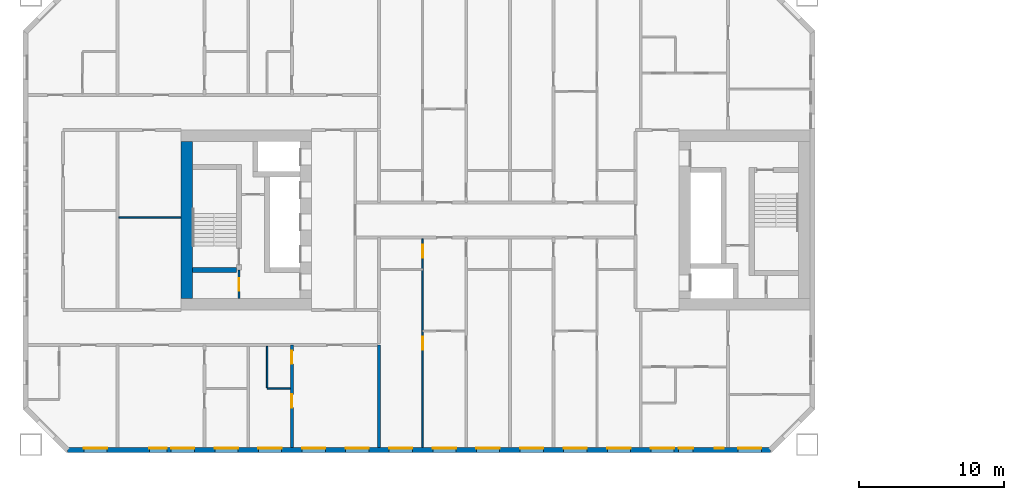
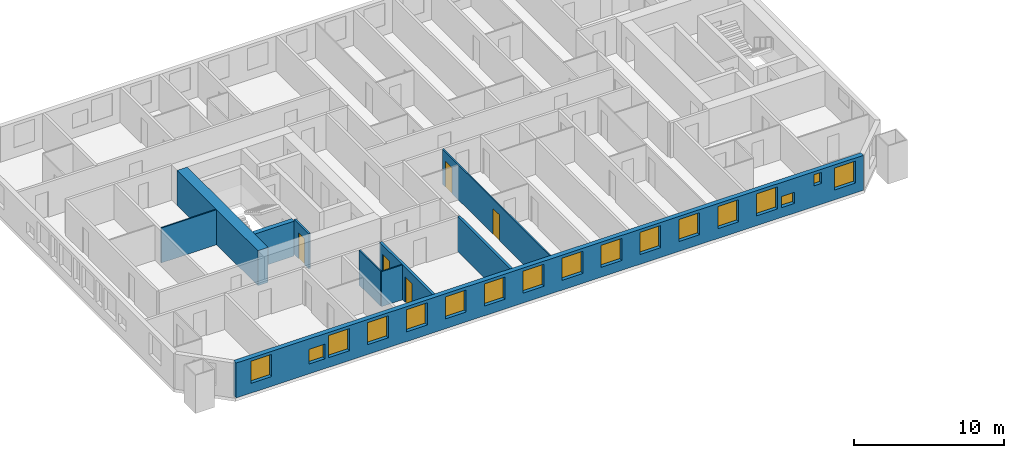
# One storey, part 3 of 17: 17 windows, 10 walls, 5 doors, 22 openings.
"""IFC4 building model written with IfcOpenShell, lengths in metres."""

from ifc_helpers import new_model, si_unit, direction, frame, frame_2d, origin, place, context, subcontext, project, spatial, rectangle, extrude, material, layer, layer_set, type_object, element, fill, save


model = new_model("IFC4")

# Units and contexts
model_context = context("Model", 3, precision=1e-05, world=origin(), true_north=direction((0.0, 1.0)))
body_context = subcontext(model_context, "Body", "Model", "MODEL_VIEW")
ifc_project = project(units=[si_unit("LENGTHUNIT", "METRE"), si_unit("AREAUNIT", "SQUARE_METRE"), si_unit("VOLUMEUNIT", "CUBIC_METRE"), si_unit("PLANEANGLEUNIT", "RADIAN"), si_unit("MASSUNIT", "GRAM", prefix="KILO")], contexts=[model_context])

# Site, building, storey
site_placement = place(None, origin())
site = spatial("IfcSite", under=ifc_project, at=site_placement, CompositionType="ELEMENT")
building_placement = place(site_placement, origin())
building = spatial("IfcBuilding", under=site, at=building_placement, Name="Tuart Gate Housing", CompositionType="ELEMENT")
storey_placement = place(building_placement, frame((0.0, 0.0, 47.39990234375)))
storey = spatial("IfcBuildingStorey", under=building, at=storey_placement, Name="L12", CompositionType="ELEMENT", Elevation=47.39990234375)

# Wall, openings, windows
ifc_material_1 = material(Name="Brick", Category="masonry")
ifc_layer_1 = layer(ifc_material_1, 0.360107421875)
ifc_layer_set_1 = layer_set([ifc_layer_1], Name="Brick pier and spandrel wall 360")
wall_type_1 = type_object("IfcWallType", Name="Brick pier and spandrel wall 360", PredefinedType="STANDARD", material=ifc_layer_set_1)
wall_1_placement = place(storey_placement, frame((24.57470703125, 54.179931640625, 0.0), z_axis=(0.0, 0.0, 1.0), x_axis=(1.0, 0.0, 0.0)))
wall_1 = element("IfcWall", 1, at=wall_1_placement, inside=storey, type_object=wall_type_1, Name="External wall A-S L12", PredefinedType="STANDARD", context=body_context, shape_type="SweptSolid", body=[
    extrude(rectangle(XDim=48.350830078125, YDim=0.360107421875, at=frame_2d((24.17529296875, 0.0))), origin(), (0.0, 0.0, 1.0), 2.85009765625),
])
opening_1_placement = place(wall_1_placement, frame((1.12548828125, 0.0, 0.800048828125)))
opening_1 = element("IfcOpeningElement", 2, at=opening_1_placement, cuts=wall_1, Name="Opening W1", PredefinedType="OPENING", context=body_context, shape_type="SweptSolid", body=[
    extrude(rectangle(XDim=1.60009765625, YDim=1.800048828125, at=frame_2d((0.800048828125, 0.89990234375))), frame((0.0, 0.18994140625, 0.0), z_axis=(0.0, -1.0, 0.0), x_axis=(1.0, 0.0, 0.0)), (0.0, 0.0, 1.0), 0.380126953125),
])
opening_2_placement = place(wall_1_placement, frame((5.62548828125, 0.0, 0.800048828125)))
opening_2 = element("IfcOpeningElement", 3, at=opening_2_placement, cuts=wall_1, Name="Opening W1N", PredefinedType="OPENING", context=body_context, shape_type="SweptSolid", body=[
    extrude(rectangle(XDim=1.199951171875, YDim=1.199951171875, at=frame_2d((0.60009765625, 0.60009765625))), frame((0.0, 0.18994140625, 0.0), z_axis=(0.0, -1.0, 0.0), x_axis=(1.0, 0.0, 0.0)), (0.0, 0.0, 1.0), 0.380126953125),
])
opening_3_placement = place(wall_1_placement, frame((7.12548828125, 0.0, 0.800048828125)))
opening_3 = element("IfcOpeningElement", 4, at=opening_3_placement, cuts=wall_1, Name="Opening W1", PredefinedType="OPENING", context=body_context, shape_type="SweptSolid", body=[
    extrude(rectangle(XDim=1.60009765625, YDim=1.800048828125, at=frame_2d((0.800048828125, 0.89990234375))), frame((0.0, 0.18994140625, 0.0), z_axis=(0.0, -1.0, 0.0), x_axis=(1.0, 0.0, 0.0)), (0.0, 0.0, 1.0), 0.380126953125),
])
opening_4_placement = place(wall_1_placement, frame((10.12548828125, 0.0, 0.800048828125)))
opening_4 = element("IfcOpeningElement", 5, at=opening_4_placement, cuts=wall_1, Name="Opening W1", PredefinedType="OPENING", context=body_context, shape_type="SweptSolid", body=[
    extrude(rectangle(XDim=1.60009765625, YDim=1.800048828125, at=frame_2d((0.800048828125, 0.89990234375))), frame((0.0, 0.18994140625, 0.0), z_axis=(0.0, -1.0, 0.0), x_axis=(1.0, 0.0, 0.0)), (0.0, 0.0, 1.0), 0.380126953125),
])
opening_5_placement = place(wall_1_placement, frame((13.12548828125, 0.0, 0.800048828125)))
opening_5 = element("IfcOpeningElement", 6, at=opening_5_placement, cuts=wall_1, Name="Opening W1", PredefinedType="OPENING", context=body_context, shape_type="SweptSolid", body=[
    extrude(rectangle(XDim=1.60009765625, YDim=1.800048828125, at=frame_2d((0.800048828125, 0.89990234375))), frame((0.0, 0.18994140625, 0.0), z_axis=(0.0, -1.0, 0.0), x_axis=(1.0, 0.0, 0.0)), (0.0, 0.0, 1.0), 0.380126953125),
])
opening_6_placement = place(wall_1_placement, frame((16.12548828125, 0.0, 0.800048828125)))
opening_6 = element("IfcOpeningElement", 7, at=opening_6_placement, cuts=wall_1, Name="Opening W1", PredefinedType="OPENING", context=body_context, shape_type="SweptSolid", body=[
    extrude(rectangle(XDim=1.60009765625, YDim=1.800048828125, at=frame_2d((0.800048828125, 0.89990234375))), frame((0.0, 0.18994140625, 0.0), z_axis=(0.0, -1.0, 0.0), x_axis=(1.0, 0.0, 0.0)), (0.0, 0.0, 1.0), 0.380126953125),
])
opening_7_placement = place(wall_1_placement, frame((19.12548828125, 0.0, 0.800048828125)))
opening_7 = element("IfcOpeningElement", 8, at=opening_7_placement, cuts=wall_1, Name="Opening W1", PredefinedType="OPENING", context=body_context, shape_type="SweptSolid", body=[
    extrude(rectangle(XDim=1.60009765625, YDim=1.800048828125, at=frame_2d((0.800048828125, 0.89990234375))), frame((0.0, 0.18994140625, 0.0), z_axis=(0.0, -1.0, 0.0), x_axis=(1.0, 0.0, 0.0)), (0.0, 0.0, 1.0), 0.380126953125),
])
opening_8_placement = place(wall_1_placement, frame((22.12548828125, 0.0, 0.800048828125)))
opening_8 = element("IfcOpeningElement", 9, at=opening_8_placement, cuts=wall_1, Name="Opening W1", PredefinedType="OPENING", context=body_context, shape_type="SweptSolid", body=[
    extrude(rectangle(XDim=1.60009765625, YDim=1.800048828125, at=frame_2d((0.800048828125, 0.89990234375))), frame((0.0, 0.18994140625, 0.0), z_axis=(0.0, -1.0, 0.0), x_axis=(1.0, 0.0, 0.0)), (0.0, 0.0, 1.0), 0.380126953125),
])
opening_9_placement = place(wall_1_placement, frame((25.12548828125, 0.0, 0.800048828125)))
opening_9 = element("IfcOpeningElement", 10, at=opening_9_placement, cuts=wall_1, Name="Opening W1", PredefinedType="OPENING", context=body_context, shape_type="SweptSolid", body=[
    extrude(rectangle(XDim=1.60009765625, YDim=1.800048828125, at=frame_2d((0.800048828125, 0.89990234375))), frame((0.0, 0.18994140625, 0.0), z_axis=(0.0, -1.0, 0.0), x_axis=(1.0, 0.0, 0.0)), (0.0, 0.0, 1.0), 0.380126953125),
])
opening_10_placement = place(wall_1_placement, frame((28.12548828125, 0.0, 0.800048828125)))
opening_10 = element("IfcOpeningElement", 11, at=opening_10_placement, cuts=wall_1, Name="Opening W1", PredefinedType="OPENING", context=body_context, shape_type="SweptSolid", body=[
    extrude(rectangle(XDim=1.60009765625, YDim=1.800048828125, at=frame_2d((0.800048828125, 0.89990234375))), frame((0.0, 0.18994140625, 0.0), z_axis=(0.0, -1.0, 0.0), x_axis=(1.0, 0.0, 0.0)), (0.0, 0.0, 1.0), 0.380126953125),
])
opening_11_placement = place(wall_1_placement, frame((31.12548828125, 0.0, 0.800048828125)))
opening_11 = element("IfcOpeningElement", 12, at=opening_11_placement, cuts=wall_1, Name="Opening W1", PredefinedType="OPENING", context=body_context, shape_type="SweptSolid", body=[
    extrude(rectangle(XDim=1.60009765625, YDim=1.800048828125, at=frame_2d((0.800048828125, 0.89990234375))), frame((0.0, 0.18994140625, 0.0), z_axis=(0.0, -1.0, 0.0), x_axis=(1.0, 0.0, 0.0)), (0.0, 0.0, 1.0), 0.380126953125),
])
opening_12_placement = place(wall_1_placement, frame((34.12548828125, 0.0, 0.800048828125)))
opening_12 = element("IfcOpeningElement", 13, at=opening_12_placement, cuts=wall_1, Name="Opening W1", PredefinedType="OPENING", context=body_context, shape_type="SweptSolid", body=[
    extrude(rectangle(XDim=1.60009765625, YDim=1.800048828125, at=frame_2d((0.800048828125, 0.89990234375))), frame((0.0, 0.18994140625, 0.0), z_axis=(0.0, -1.0, 0.0), x_axis=(1.0, 0.0, 0.0)), (0.0, 0.0, 1.0), 0.380126953125),
])
opening_13_placement = place(wall_1_placement, frame((37.12548828125, 0.0, 0.800048828125)))
opening_13 = element("IfcOpeningElement", 14, at=opening_13_placement, cuts=wall_1, Name="Opening W1", PredefinedType="OPENING", context=body_context, shape_type="SweptSolid", body=[
    extrude(rectangle(XDim=1.60009765625, YDim=1.800048828125, at=frame_2d((0.800048828125, 0.89990234375))), frame((0.0, 0.18994140625, 0.0), z_axis=(0.0, -1.0, 0.0), x_axis=(1.0, 0.0, 0.0)), (0.0, 0.0, 1.0), 0.380126953125),
])
opening_14_placement = place(wall_1_placement, frame((40.12548828125, 0.0, 0.800048828125)))
opening_14 = element("IfcOpeningElement", 15, at=opening_14_placement, cuts=wall_1, Name="Opening W1", PredefinedType="OPENING", context=body_context, shape_type="SweptSolid", body=[
    extrude(rectangle(XDim=1.60009765625, YDim=1.800048828125, at=frame_2d((0.800048828125, 0.89990234375))), frame((0.0, 0.18994140625, 0.0), z_axis=(0.0, -1.0, 0.0), x_axis=(1.0, 0.0, 0.0)), (0.0, 0.0, 1.0), 0.380126953125),
])
opening_15_placement = place(wall_1_placement, frame((42.025390625, 0.0, 0.800048828125)))
opening_15 = element("IfcOpeningElement", 16, at=opening_15_placement, cuts=wall_1, Name="Opening W1U", PredefinedType="OPENING", context=body_context, shape_type="SweptSolid", body=[
    extrude(rectangle(XDim=1.0, YDim=0.89990234375, at=frame_2d((0.5, 0.449951171875))), frame((0.0, 0.18994140625, 0.0), z_axis=(0.0, -1.0, 0.0), x_axis=(1.0, 0.0, 0.0)), (0.0, 0.0, 1.0), 0.380126953125),
])
opening_16_placement = place(wall_1_placement, frame((46.12548828125, 0.0, 0.800048828125)))
opening_16 = element("IfcOpeningElement", 17, at=opening_16_placement, cuts=wall_1, Name="Opening W1", PredefinedType="OPENING", context=body_context, shape_type="SweptSolid", body=[
    extrude(rectangle(XDim=1.60009765625, YDim=1.800048828125, at=frame_2d((0.800048828125, 0.89990234375))), frame((0.0, 0.18994140625, 0.0), z_axis=(0.0, -1.0, 0.0), x_axis=(1.0, 0.0, 0.0)), (0.0, 0.0, 1.0), 0.380126953125),
])
opening_17_placement = place(wall_1_placement, frame((44.525390625, 0.0, 1.699951171875)))
opening_17 = element("IfcOpeningElement", 18, at=opening_17_placement, cuts=wall_1, Name="Opening W1W", PredefinedType="OPENING", context=body_context, shape_type="SweptSolid", body=[
    extrude(rectangle(XDim=0.60009765625, YDim=0.89990234375, at=frame_2d((0.300048828125, 0.449951171875))), frame((0.0, 0.18994140625, 0.0), z_axis=(0.0, -1.0, 0.0), x_axis=(1.0, 0.0, 0.0)), (0.0, 0.0, 1.0), 0.380126953125),
])
ifc_material_2 = material(Name="Aluminium frame with clear glass", Category="aluminium")
window_type_1 = type_object("IfcWindowType", Name="Punched window 1000 x 900", PartitioningType="SINGLE_PANEL", PredefinedType="WINDOW", material=ifc_material_2)
window_1_placement = place(opening_15_placement, origin())
window_1 = element("IfcWindow", 19, at=window_1_placement, inside=storey, type_object=window_type_1, Name="Window W1U", OverallHeight=0.89990234375, OverallWidth=1.0, PartitioningType="SINGLE_PANEL", PredefinedType="WINDOW", context=body_context, shape_type="SweptSolid", body=[
    extrude(rectangle(XDim=1.0, YDim=0.89990234375, at=frame_2d((0.5, 0.449951171875))), frame((0.0, 0.150146484375, 0.0), z_axis=(0.0, -1.0, 0.0), x_axis=(1.0, 0.0, 0.0)), (0.0, 0.0, 1.0), 0.06005859375),
])
fill(opening_15, window_1)
ifc_material_3 = material(Name="Aluminium frame with clear glass", Category="aluminium")
window_type_2 = type_object("IfcWindowType", Name="Punched window 1200 x 1200", PartitioningType="SINGLE_PANEL", PredefinedType="WINDOW", material=ifc_material_3)
window_2_placement = place(opening_2_placement, origin())
window_2 = element("IfcWindow", 20, at=window_2_placement, inside=storey, type_object=window_type_2, Name="Window W1N", OverallHeight=1.199951171875, OverallWidth=1.199951171875, PartitioningType="SINGLE_PANEL", PredefinedType="WINDOW", context=body_context, shape_type="SweptSolid", body=[
    extrude(rectangle(XDim=1.199951171875, YDim=1.199951171875, at=frame_2d((0.60009765625, 0.60009765625))), frame((0.0, 0.150146484375, 0.0), z_axis=(0.0, -1.0, 0.0), x_axis=(1.0, 0.0, 0.0)), (0.0, 0.0, 1.0), 0.06005859375),
])
fill(opening_2, window_2)
ifc_material_4 = material(Name="Aluminium frame with clear glass", Category="aluminium")
window_type_3 = type_object("IfcWindowType", Name="Punched window 1600 x 1800", PartitioningType="SINGLE_PANEL", PredefinedType="WINDOW", material=ifc_material_4)
window_3_placement = place(opening_1_placement, origin())
window_3 = element("IfcWindow", 21, at=window_3_placement, inside=storey, type_object=window_type_3, Name="Window W1", OverallHeight=1.800048828125, OverallWidth=1.60009765625, PartitioningType="SINGLE_PANEL", PredefinedType="WINDOW", context=body_context, shape_type="SweptSolid", body=[
    extrude(rectangle(XDim=1.60009765625, YDim=1.800048828125, at=frame_2d((0.800048828125, 0.89990234375))), frame((0.0, 0.150146484375, 0.0), z_axis=(0.0, -1.0, 0.0), x_axis=(1.0, 0.0, 0.0)), (0.0, 0.0, 1.0), 0.06005859375),
])
fill(opening_1, window_3)
window_4_placement = place(opening_3_placement, origin())
window_4 = element("IfcWindow", 22, at=window_4_placement, inside=storey, type_object=window_type_3, Name="Window W1", OverallHeight=1.800048828125, OverallWidth=1.60009765625, PartitioningType="SINGLE_PANEL", PredefinedType="WINDOW", context=body_context, shape_type="SweptSolid", body=[
    extrude(rectangle(XDim=1.60009765625, YDim=1.800048828125, at=frame_2d((0.800048828125, 0.89990234375))), frame((0.0, 0.150146484375, 0.0), z_axis=(0.0, -1.0, 0.0), x_axis=(1.0, 0.0, 0.0)), (0.0, 0.0, 1.0), 0.06005859375),
])
fill(opening_3, window_4)
window_5_placement = place(opening_4_placement, origin())
window_5 = element("IfcWindow", 23, at=window_5_placement, inside=storey, type_object=window_type_3, Name="Window W1", OverallHeight=1.800048828125, OverallWidth=1.60009765625, PartitioningType="SINGLE_PANEL", PredefinedType="WINDOW", context=body_context, shape_type="SweptSolid", body=[
    extrude(rectangle(XDim=1.60009765625, YDim=1.800048828125, at=frame_2d((0.800048828125, 0.89990234375))), frame((0.0, 0.150146484375, 0.0), z_axis=(0.0, -1.0, 0.0), x_axis=(1.0, 0.0, 0.0)), (0.0, 0.0, 1.0), 0.06005859375),
])
fill(opening_4, window_5)
window_6_placement = place(opening_5_placement, origin())
window_6 = element("IfcWindow", 24, at=window_6_placement, inside=storey, type_object=window_type_3, Name="Window W1", OverallHeight=1.800048828125, OverallWidth=1.60009765625, PartitioningType="SINGLE_PANEL", PredefinedType="WINDOW", context=body_context, shape_type="SweptSolid", body=[
    extrude(rectangle(XDim=1.60009765625, YDim=1.800048828125, at=frame_2d((0.800048828125, 0.89990234375))), frame((0.0, 0.150146484375, 0.0), z_axis=(0.0, -1.0, 0.0), x_axis=(1.0, 0.0, 0.0)), (0.0, 0.0, 1.0), 0.06005859375),
])
fill(opening_5, window_6)
window_7_placement = place(opening_6_placement, origin())
window_7 = element("IfcWindow", 25, at=window_7_placement, inside=storey, type_object=window_type_3, Name="Window W1", OverallHeight=1.800048828125, OverallWidth=1.60009765625, PartitioningType="SINGLE_PANEL", PredefinedType="WINDOW", context=body_context, shape_type="SweptSolid", body=[
    extrude(rectangle(XDim=1.60009765625, YDim=1.800048828125, at=frame_2d((0.800048828125, 0.89990234375))), frame((0.0, 0.150146484375, 0.0), z_axis=(0.0, -1.0, 0.0), x_axis=(1.0, 0.0, 0.0)), (0.0, 0.0, 1.0), 0.06005859375),
])
fill(opening_6, window_7)
window_8_placement = place(opening_7_placement, origin())
window_8 = element("IfcWindow", 26, at=window_8_placement, inside=storey, type_object=window_type_3, Name="Window W1", OverallHeight=1.800048828125, OverallWidth=1.60009765625, PartitioningType="SINGLE_PANEL", PredefinedType="WINDOW", context=body_context, shape_type="SweptSolid", body=[
    extrude(rectangle(XDim=1.60009765625, YDim=1.800048828125, at=frame_2d((0.800048828125, 0.89990234375))), frame((0.0, 0.150146484375, 0.0), z_axis=(0.0, -1.0, 0.0), x_axis=(1.0, 0.0, 0.0)), (0.0, 0.0, 1.0), 0.06005859375),
])
fill(opening_7, window_8)
window_9_placement = place(opening_8_placement, origin())
window_9 = element("IfcWindow", 27, at=window_9_placement, inside=storey, type_object=window_type_3, Name="Window W1", OverallHeight=1.800048828125, OverallWidth=1.60009765625, PartitioningType="SINGLE_PANEL", PredefinedType="WINDOW", context=body_context, shape_type="SweptSolid", body=[
    extrude(rectangle(XDim=1.60009765625, YDim=1.800048828125, at=frame_2d((0.800048828125, 0.89990234375))), frame((0.0, 0.150146484375, 0.0), z_axis=(0.0, -1.0, 0.0), x_axis=(1.0, 0.0, 0.0)), (0.0, 0.0, 1.0), 0.06005859375),
])
fill(opening_8, window_9)
window_10_placement = place(opening_9_placement, origin())
window_10 = element("IfcWindow", 28, at=window_10_placement, inside=storey, type_object=window_type_3, Name="Window W1", OverallHeight=1.800048828125, OverallWidth=1.60009765625, PartitioningType="SINGLE_PANEL", PredefinedType="WINDOW", context=body_context, shape_type="SweptSolid", body=[
    extrude(rectangle(XDim=1.60009765625, YDim=1.800048828125, at=frame_2d((0.800048828125, 0.89990234375))), frame((0.0, 0.150146484375, 0.0), z_axis=(0.0, -1.0, 0.0), x_axis=(1.0, 0.0, 0.0)), (0.0, 0.0, 1.0), 0.06005859375),
])
fill(opening_9, window_10)
window_11_placement = place(opening_10_placement, origin())
window_11 = element("IfcWindow", 29, at=window_11_placement, inside=storey, type_object=window_type_3, Name="Window W1", OverallHeight=1.800048828125, OverallWidth=1.60009765625, PartitioningType="SINGLE_PANEL", PredefinedType="WINDOW", context=body_context, shape_type="SweptSolid", body=[
    extrude(rectangle(XDim=1.60009765625, YDim=1.800048828125, at=frame_2d((0.800048828125, 0.89990234375))), frame((0.0, 0.150146484375, 0.0), z_axis=(0.0, -1.0, 0.0), x_axis=(1.0, 0.0, 0.0)), (0.0, 0.0, 1.0), 0.06005859375),
])
fill(opening_10, window_11)
window_12_placement = place(opening_11_placement, origin())
window_12 = element("IfcWindow", 30, at=window_12_placement, inside=storey, type_object=window_type_3, Name="Window W1", OverallHeight=1.800048828125, OverallWidth=1.60009765625, PartitioningType="SINGLE_PANEL", PredefinedType="WINDOW", context=body_context, shape_type="SweptSolid", body=[
    extrude(rectangle(XDim=1.60009765625, YDim=1.800048828125, at=frame_2d((0.800048828125, 0.89990234375))), frame((0.0, 0.150146484375, 0.0), z_axis=(0.0, -1.0, 0.0), x_axis=(1.0, 0.0, 0.0)), (0.0, 0.0, 1.0), 0.06005859375),
])
fill(opening_11, window_12)
window_13_placement = place(opening_12_placement, origin())
window_13 = element("IfcWindow", 31, at=window_13_placement, inside=storey, type_object=window_type_3, Name="Window W1", OverallHeight=1.800048828125, OverallWidth=1.60009765625, PartitioningType="SINGLE_PANEL", PredefinedType="WINDOW", context=body_context, shape_type="SweptSolid", body=[
    extrude(rectangle(XDim=1.60009765625, YDim=1.800048828125, at=frame_2d((0.800048828125, 0.89990234375))), frame((0.0, 0.150146484375, 0.0), z_axis=(0.0, -1.0, 0.0), x_axis=(1.0, 0.0, 0.0)), (0.0, 0.0, 1.0), 0.06005859375),
])
fill(opening_12, window_13)
window_14_placement = place(opening_13_placement, origin())
window_14 = element("IfcWindow", 32, at=window_14_placement, inside=storey, type_object=window_type_3, Name="Window W1", OverallHeight=1.800048828125, OverallWidth=1.60009765625, PartitioningType="SINGLE_PANEL", PredefinedType="WINDOW", context=body_context, shape_type="SweptSolid", body=[
    extrude(rectangle(XDim=1.60009765625, YDim=1.800048828125, at=frame_2d((0.800048828125, 0.89990234375))), frame((0.0, 0.150146484375, 0.0), z_axis=(0.0, -1.0, 0.0), x_axis=(1.0, 0.0, 0.0)), (0.0, 0.0, 1.0), 0.06005859375),
])
fill(opening_13, window_14)
window_15_placement = place(opening_14_placement, origin())
window_15 = element("IfcWindow", 33, at=window_15_placement, inside=storey, type_object=window_type_3, Name="Window W1", OverallHeight=1.800048828125, OverallWidth=1.60009765625, PartitioningType="SINGLE_PANEL", PredefinedType="WINDOW", context=body_context, shape_type="SweptSolid", body=[
    extrude(rectangle(XDim=1.60009765625, YDim=1.800048828125, at=frame_2d((0.800048828125, 0.89990234375))), frame((0.0, 0.150146484375, 0.0), z_axis=(0.0, -1.0, 0.0), x_axis=(1.0, 0.0, 0.0)), (0.0, 0.0, 1.0), 0.06005859375),
])
fill(opening_14, window_15)
window_16_placement = place(opening_16_placement, origin())
window_16 = element("IfcWindow", 34, at=window_16_placement, inside=storey, type_object=window_type_3, Name="Window W1", OverallHeight=1.800048828125, OverallWidth=1.60009765625, PartitioningType="SINGLE_PANEL", PredefinedType="WINDOW", context=body_context, shape_type="SweptSolid", body=[
    extrude(rectangle(XDim=1.60009765625, YDim=1.800048828125, at=frame_2d((0.800048828125, 0.89990234375))), frame((0.0, 0.150146484375, 0.0), z_axis=(0.0, -1.0, 0.0), x_axis=(1.0, 0.0, 0.0)), (0.0, 0.0, 1.0), 0.06005859375),
])
fill(opening_16, window_16)
ifc_material_5 = material(Name="Aluminium frame with clear glass", Category="aluminium")
window_type_4 = type_object("IfcWindowType", Name="Punched window 600 x 900", PartitioningType="SINGLE_PANEL", PredefinedType="WINDOW", material=ifc_material_5)
window_17_placement = place(opening_17_placement, origin())
window_17 = element("IfcWindow", 35, at=window_17_placement, inside=storey, type_object=window_type_4, Name="Window W1W", OverallHeight=0.89990234375, OverallWidth=0.60009765625, PartitioningType="SINGLE_PANEL", PredefinedType="WINDOW", context=body_context, shape_type="SweptSolid", body=[
    extrude(rectangle(XDim=0.60009765625, YDim=0.89990234375, at=frame_2d((0.300048828125, 0.449951171875))), frame((0.0, 0.150146484375, 0.0), z_axis=(0.0, -1.0, 0.0), x_axis=(1.0, 0.0, 0.0)), (0.0, 0.0, 1.0), 0.06005859375),
])
fill(opening_17, window_17)

# Wall, opening, door
ifc_material_6 = material(Name="Plasterboard partition")
ifc_layer_2 = layer(ifc_material_6, 0.14990234375)
ifc_layer_set_2 = layer_set([ifc_layer_2], Name="Core partition 150")
wall_type_2 = type_object("IfcWallType", Name="Core partition 150", PredefinedType="PARTITIONING", material=ifc_layer_set_2)
wall_2_placement = place(storey_placement, frame((36.360107421875, 66.550048828125, 0.0), z_axis=(0.0, 0.0, 1.0), x_axis=(0.0, -1.0, 0.0)))
wall_2 = element("IfcWall", 36, at=wall_2_placement, inside=storey, type_object=wall_type_2, Name="Core partition AK.9", PredefinedType="PARTITIONING", context=body_context, shape_type="SweptSolid", body=[
    extrude(rectangle(XDim=1.949951171875, YDim=0.14990234375, at=frame_2d((0.97509765625, 0.0))), origin(), (0.0, 0.0, 1.0), 2.85009765625),
])
opening_18_placement = place(wall_2_placement, frame((0.550048828125, 0.0, 0.0)))
opening_18 = element("IfcOpeningElement", 37, at=opening_18_placement, cuts=wall_2, Name="Opening D629", PredefinedType="OPENING", context=body_context, shape_type="SweptSolid", body=[
    extrude(rectangle(XDim=0.85009765625, YDim=2.10009765625, at=frame_2d((0.425048828125, 1.050048828125))), frame((0.0, 0.0849609375, 0.0), z_axis=(0.0, -1.0, 0.0), x_axis=(1.0, 0.0, 0.0)), (0.0, 0.0, 1.0), 0.169921875),
])
ifc_material_7 = material(Name="Steel fire door", Category="steel")
door_type_1 = type_object("IfcDoorType", Name="Service door 850 x 2100 RH", OperationType="SINGLE_SWING_RIGHT", PredefinedType="DOOR", material=ifc_material_7)
door_1_placement = place(opening_18_placement, frame((0.85009765625, 0.0, 0.0), z_axis=(0.0, 0.0, 1.0), x_axis=(-1.0, 0.0, 0.0)))
door_1 = element("IfcDoor", 38, at=door_1_placement, inside=storey, type_object=door_type_1, Name="Service room door AK.ST", OperationType="SINGLE_SWING_RIGHT", OverallHeight=2.10009765625, OverallWidth=0.85009765625, PredefinedType="DOOR", context=body_context, shape_type="SweptSolid", body=[
    extrude(rectangle(XDim=0.85009765625, YDim=2.10009765625, at=frame_2d((0.425048828125, 1.050048828125))), frame((0.0, 0.025146484375, 0.0), z_axis=(0.0, -1.0, 0.0), x_axis=(1.0, 0.0, 0.0)), (0.0, 0.0, 1.0), 0.050048828125),
])
fill(opening_18, door_1)

# Walls
ifc_material_8 = material(Name="Concrete C60", Category="concrete")
ifc_layer_3 = layer(ifc_material_8, 0.35009765625)
ifc_layer_set_3 = layer_set([ifc_layer_3], Name="Core wall 350 C60")
wall_type_3 = type_object("IfcWallType", Name="Core wall 350 C60", PredefinedType="SHEAR", material=ifc_layer_set_3)
wall_3_placement = place(storey_placement, frame((36.18505859375, 66.550048828125, 0.0), z_axis=(0.0, 0.0, 1.0), x_axis=(-1.0, 0.0, 0.0)))
element("IfcWall", 39, at=wall_3_placement, inside=storey, type_object=wall_type_3, Name="Core wall AK.5", PredefinedType="SHEAR", context=body_context, shape_type="SweptSolid", body=[
    extrude(rectangle(XDim=3.025146484375, YDim=0.35009765625, at=frame_2d((1.5126953125, 0.0))), origin(), (0.0, 0.0, 1.0), 2.85009765625),
])
ifc_material_9 = material(Name="Concrete C60", Category="concrete")
ifc_layer_4 = layer(ifc_material_9, 0.800048828125)
ifc_layer_set_4 = layer_set([ifc_layer_4], Name="Core wall 800 C60")
wall_type_4 = type_object("IfcWallType", Name="Core wall 800 C60", PredefinedType="SHEAR", material=ifc_layer_set_4)
wall_4_placement = place(storey_placement, frame((32.760009765625, 75.39990234375, 0.0), z_axis=(0.0, 0.0, 1.0), x_axis=(0.0, -1.0, 0.0)))
element("IfcWall", 40, at=wall_4_placement, inside=storey, type_object=wall_type_4, Name="Core wall AK back", PredefinedType="SHEAR", context=body_context, shape_type="SweptSolid", body=[
    extrude(rectangle(XDim=10.7998046875, YDim=0.800048828125, at=frame_2d((5.39990234375, 0.0))), origin(), (0.0, 0.0, 1.0), 2.85009765625),
])
ifc_material_10 = material(Name="Gypsum board on steel studs", Category="steel")
ifc_layer_5 = layer(ifc_material_10, 0.10009765625)
ifc_layer_set_5 = layer_set([ifc_layer_5], Name="Partition 100")
wall_type_5 = type_object("IfcWallType", Name="Partition 100", PredefinedType="PARTITIONING", material=ifc_layer_set_5)
wall_5_placement = place(storey_placement, frame((38.300048828125, 58.39990234375, 0.0), z_axis=(0.0, 0.0, 1.0), x_axis=(1.0, 0.0, 0.0)))
element("IfcWall", 41, at=wall_5_placement, inside=storey, type_object=wall_type_5, Name="Partition 100", PredefinedType="PARTITIONING", context=body_context, shape_type="SweptSolid", body=[
    extrude(rectangle(XDim=1.599853515625, YDim=0.10009765625, at=frame_2d((0.7998046875, 0.0))), origin(), (0.0, 0.0, 1.0), 2.85009765625),
])
wall_6_placement = place(storey_placement, frame((28.10009765625, 70.159912109375, 0.0), z_axis=(0.0, 0.0, 1.0), x_axis=(1.0, 0.0, 0.0)))
element("IfcWall", 42, at=wall_6_placement, inside=storey, type_object=wall_type_5, Name="Partition 100", PredefinedType="PARTITIONING", context=body_context, shape_type="SweptSolid", body=[
    extrude(rectangle(XDim=4.260009765625, YDim=0.10009765625, at=frame_2d((2.1298828125, 0.0))), origin(), (0.0, 0.0, 1.0), 2.85009765625),
])
wall_7_placement = place(storey_placement, frame((38.300048828125, 58.449951171875, 0.0), z_axis=(0.0, 0.0, 1.0), x_axis=(0.0, 1.0, 0.0)))
element("IfcWall", 43, at=wall_7_placement, inside=storey, type_object=wall_type_5, Name="Partition 100", PredefinedType="PARTITIONING", context=body_context, shape_type="SweptSolid", body=[
    extrude(rectangle(XDim=2.85009765625, YDim=0.10009765625, at=frame_2d((1.425048828125, 0.0))), origin(), (0.0, 0.0, 1.0), 2.85009765625),
])

# Wall, openings, doors
wall_8_placement = place(storey_placement, frame((49.0, 54.360107421875, 0.0), z_axis=(0.0, 0.0, 1.0), x_axis=(0.0, 1.0, 0.0)))
wall_8 = element("IfcWall", 44, at=wall_8_placement, inside=storey, type_object=wall_type_5, Name="Partition 100", PredefinedType="PARTITIONING", context=body_context, shape_type="SweptSolid", body=[
    extrude(rectangle(XDim=14.33984375, YDim=0.10009765625, at=frame_2d((7.169921875, 0.0))), origin(), (0.0, 0.0, 1.0), 2.85009765625),
])
opening_19_placement = place(wall_8_placement, frame((6.699951171875, 0.0, 0.0)))
opening_19 = element("IfcOpeningElement", 45, at=opening_19_placement, cuts=wall_8, Name="Opening D641", PredefinedType="OPENING", context=body_context, shape_type="SweptSolid", body=[
    extrude(rectangle(XDim=0.89990234375, YDim=2.10009765625, at=frame_2d((0.449951171875, 1.050048828125))), frame((0.0, 0.06005859375, 0.0), z_axis=(0.0, -1.0, 0.0), x_axis=(1.0, 0.0, 0.0)), (0.0, 0.0, 1.0), 0.1201171875),
])
opening_20_placement = place(wall_8_placement, frame((13.0400390625, 0.0, 0.0)))
opening_20 = element("IfcOpeningElement", 46, at=opening_20_placement, cuts=wall_8, Name="Opening D640", PredefinedType="OPENING", context=body_context, shape_type="SweptSolid", body=[
    extrude(rectangle(XDim=0.89990234375, YDim=2.10009765625, at=frame_2d((0.449951171875, 1.050048828125))), frame((0.0, 0.06005859375, 0.0), z_axis=(0.0, -1.0, 0.0), x_axis=(1.0, 0.0, 0.0)), (0.0, 0.0, 1.0), 0.1201171875),
])
ifc_material_11 = material(Name="Timber door leaf in steel frame", Category="steel")
door_type_2 = type_object("IfcDoorType", Name="Bathroom door 900 RH", OperationType="SINGLE_SWING_RIGHT", PredefinedType="DOOR", material=ifc_material_11)
door_2_placement = place(opening_20_placement, origin())
door_2 = element("IfcDoor", 47, at=door_2_placement, inside=storey, type_object=door_type_2, Name="Bathroom door", OperationType="SINGLE_SWING_RIGHT", OverallHeight=2.10009765625, OverallWidth=0.89990234375, PredefinedType="DOOR", context=body_context, shape_type="SweptSolid", body=[
    extrude(rectangle(XDim=0.89990234375, YDim=2.10009765625, at=frame_2d((0.449951171875, 1.050048828125))), frame((0.0, 0.02490234375, 0.0), z_axis=(0.0, -1.0, 0.0), x_axis=(1.0, 0.0, 0.0)), (0.0, 0.0, 1.0), 0.050048828125),
])
fill(opening_20, door_2)
ifc_material_12 = material(Name="Timber door leaf in steel frame", Category="steel")
door_type_3 = type_object("IfcDoorType", Name="Internal door 900 RH", OperationType="SINGLE_SWING_RIGHT", PredefinedType="DOOR", material=ifc_material_12)
door_3_placement = place(opening_19_placement, origin())
door_3 = element("IfcDoor", 48, at=door_3_placement, inside=storey, type_object=door_type_3, Name="Internal door", OperationType="SINGLE_SWING_RIGHT", OverallHeight=2.10009765625, OverallWidth=0.89990234375, PredefinedType="DOOR", context=body_context, shape_type="SweptSolid", body=[
    extrude(rectangle(XDim=0.89990234375, YDim=2.10009765625, at=frame_2d((0.449951171875, 1.050048828125))), frame((0.0, 0.02490234375, 0.0), z_axis=(0.0, -1.0, 0.0), x_axis=(1.0, 0.0, 0.0)), (0.0, 0.0, 1.0), 0.050048828125),
])
fill(opening_19, door_3)

ifc_material_13 = material(Name="Concrete C40", Category="concrete")
ifc_layer_6 = layer(ifc_material_13, 0.199951171875)
ifc_layer_set_6 = layer_set([ifc_layer_6], Name="Party wall concrete C40 200")
wall_type_6 = type_object("IfcWallType", Name="Party wall concrete C40 200", PredefinedType="SOLIDWALL", material=ifc_layer_set_6)
wall_9_placement = place(storey_placement, frame((40.0, 54.360107421875, 0.0), z_axis=(0.0, 0.0, 1.0), x_axis=(0.0, 1.0, 0.0)))
wall_9 = element("IfcWall", 49, at=wall_9_placement, inside=storey, type_object=wall_type_6, Name="Party wall concrete C40 200", PredefinedType="SOLIDWALL", context=body_context, shape_type="SweptSolid", body=[
    extrude(rectangle(XDim=7.039794921875, YDim=0.199951171875, at=frame_2d((3.52001953125, 0.0))), origin(), (0.0, 0.0, 1.0), 2.85009765625),
])
opening_21_placement = place(wall_9_placement, frame((2.739990234375, 0.0, 0.0)))
opening_21 = element("IfcOpeningElement", 50, at=opening_21_placement, cuts=wall_9, Name="Opening D655", PredefinedType="OPENING", context=body_context, shape_type="SweptSolid", body=[
    extrude(rectangle(XDim=0.89990234375, YDim=2.10009765625, at=frame_2d((0.449951171875, 1.050048828125))), frame((0.0, 0.10986328125, 0.0), z_axis=(0.0, -1.0, 0.0), x_axis=(1.0, 0.0, 0.0)), (0.0, 0.0, 1.0), 0.219970703125),
])
opening_22_placement = place(wall_9_placement, frame((5.739990234375, 0.0, 0.0)))
opening_22 = element("IfcOpeningElement", 51, at=opening_22_placement, cuts=wall_9, Name="Opening D654", PredefinedType="OPENING", context=body_context, shape_type="SweptSolid", body=[
    extrude(rectangle(XDim=0.89990234375, YDim=2.10009765625, at=frame_2d((0.449951171875, 1.050048828125))), frame((0.0, 0.10986328125, 0.0), z_axis=(0.0, -1.0, 0.0), x_axis=(1.0, 0.0, 0.0)), (0.0, 0.0, 1.0), 0.219970703125),
])
door_4_placement = place(opening_22_placement, origin())
door_4 = element("IfcDoor", 52, at=door_4_placement, inside=storey, type_object=door_type_2, Name="Bathroom door", OperationType="SINGLE_SWING_RIGHT", OverallHeight=2.10009765625, OverallWidth=0.89990234375, PredefinedType="DOOR", context=body_context, shape_type="SweptSolid", body=[
    extrude(rectangle(XDim=0.89990234375, YDim=2.10009765625, at=frame_2d((0.449951171875, 1.050048828125))), frame((0.0, 0.02490234375, 0.0), z_axis=(0.0, -1.0, 0.0), x_axis=(1.0, 0.0, 0.0)), (0.0, 0.0, 1.0), 0.050048828125),
])
fill(opening_22, door_4)
door_5_placement = place(opening_21_placement, origin())
door_5 = element("IfcDoor", 53, at=door_5_placement, inside=storey, type_object=door_type_3, Name="Internal door", OperationType="SINGLE_SWING_RIGHT", OverallHeight=2.10009765625, OverallWidth=0.89990234375, PredefinedType="DOOR", context=body_context, shape_type="SweptSolid", body=[
    extrude(rectangle(XDim=0.89990234375, YDim=2.10009765625, at=frame_2d((0.449951171875, 1.050048828125))), frame((0.0, 0.02490234375, 0.0), z_axis=(0.0, -1.0, 0.0), x_axis=(1.0, 0.0, 0.0)), (0.0, 0.0, 1.0), 0.050048828125),
])
fill(opening_21, door_5)

# Wall
wall_10_placement = place(storey_placement, frame((46.0, 54.360107421875, 0.0), z_axis=(0.0, 0.0, 1.0), x_axis=(0.0, 1.0, 0.0)))
element("IfcWall", 54, at=wall_10_placement, inside=storey, type_object=wall_type_6, Name="Party wall concrete C40 200", PredefinedType="SOLIDWALL", context=body_context, shape_type="SweptSolid", body=[
    extrude(rectangle(XDim=7.039794921875, YDim=0.199951171875, at=frame_2d((3.52001953125, 0.0))), origin(), (0.0, 0.0, 1.0), 2.85009765625),
])

save(model, "model.ifc")
